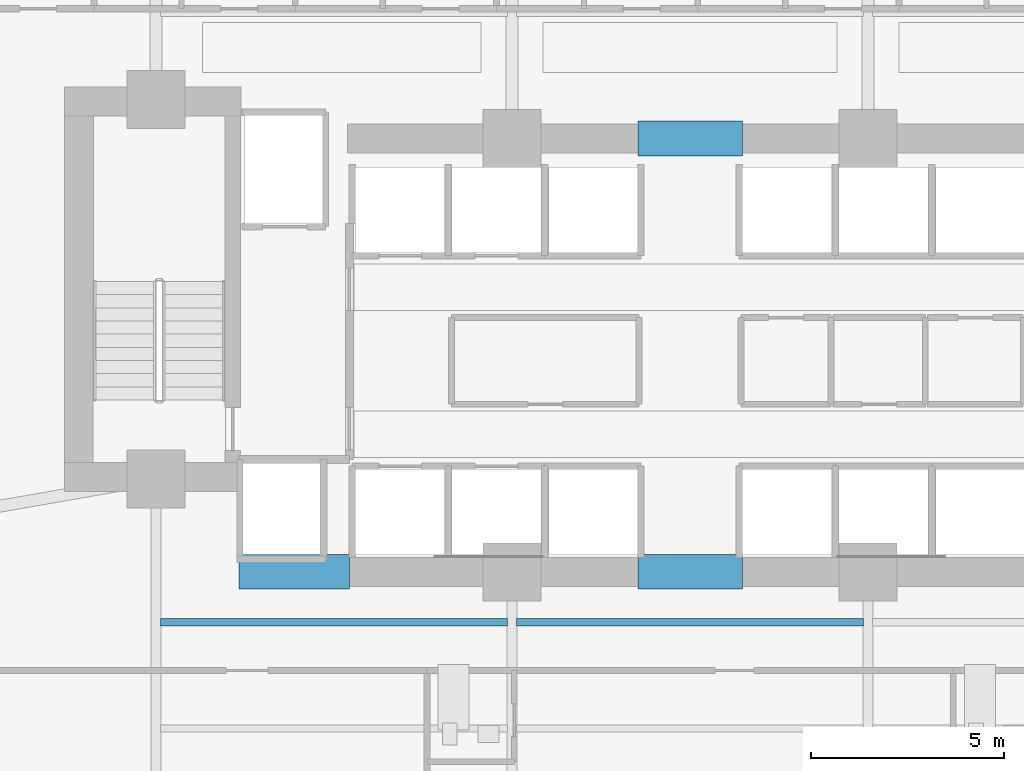
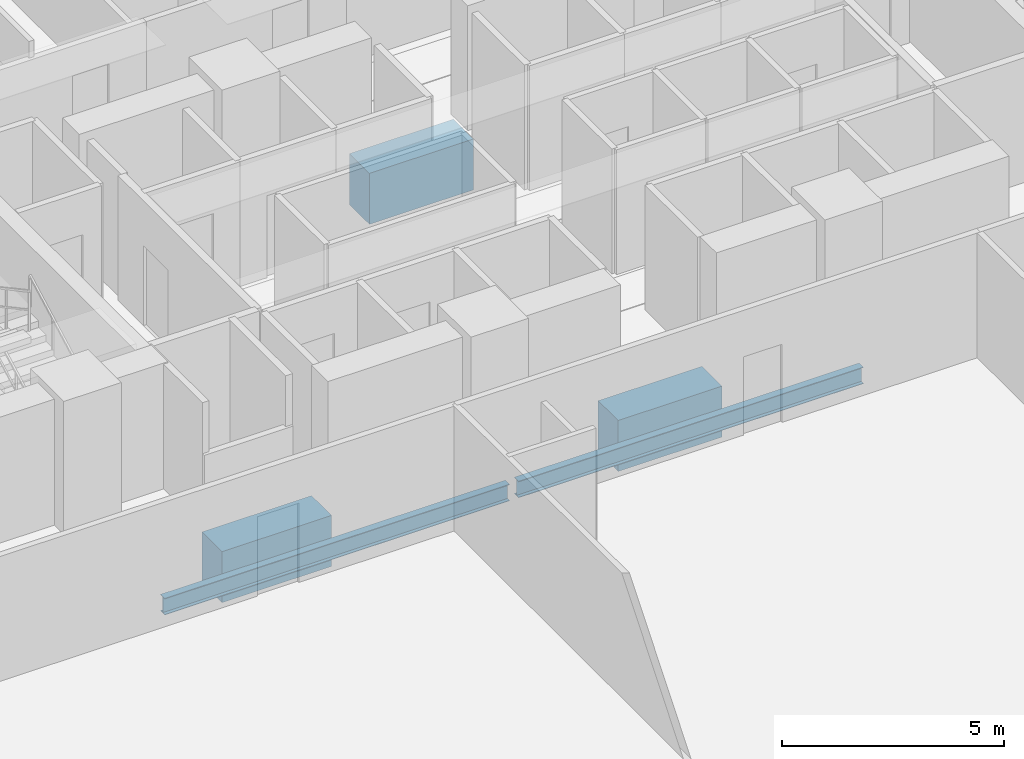
# One storey, part 8 of 29: 5 beams.
"""IFC4 building model written with IfcOpenShell, lengths in metres."""

from ifc_helpers import new_model, si_unit, direction, frame, origin, origin_2d, place, context, subcontext, project, spatial, rectangle, i_section, extrude, material, material_profile, profile_set, type_object, element, save


model = new_model("IFC4")

# Units and contexts
model_context = context("Model", 3, precision=1e-05, world=origin(), true_north=direction((0.0, 1.0)))
body_context = subcontext(model_context, "Body", "Model", "MODEL_VIEW")
ifc_project = project(units=[si_unit("LENGTHUNIT", "METRE"), si_unit("AREAUNIT", "SQUARE_METRE"), si_unit("VOLUMEUNIT", "CUBIC_METRE"), si_unit("PLANEANGLEUNIT", "RADIAN"), si_unit("MASSUNIT", "GRAM", prefix="KILO")], contexts=[model_context])

# Site, building, storey
site_placement = place(None, origin())
site = spatial("IfcSite", under=ifc_project, at=site_placement, CompositionType="ELEMENT")
building_placement = place(site_placement, origin())
building = spatial("IfcBuilding", under=site, at=building_placement, Name="Zuhayl Quay Hotel", CompositionType="ELEMENT")
storey_placement = place(building_placement, frame((0.0, 0.0, 113.89990234375)))
storey = spatial("IfcBuildingStorey", under=building, at=storey_placement, Name="L28", CompositionType="ELEMENT", Elevation=113.89990234375)

# Beams
ifc_material_1 = material(Name="Concrete C60/75", Category="concrete")
ifc_material_profile_1 = material_profile(ifc_material_1, rectangle(XDim=0.89990234375, YDim=1.39990234375, at=origin_2d()), Name="RC900X1400")
ifc_profile_set_1 = profile_set([ifc_material_profile_1], Name="Concrete C60/75")
beam_type_1 = type_object("IfcBeamType", Name="BM_CB1_RC900", PredefinedType="T_BEAM", material=ifc_profile_set_1)
beam_placement = place(storey_placement, frame((-11.64990234375, 2.14990234375, -0.919921875), z_axis=(1.0, 0.0, 0.0), x_axis=(0.0, 1.0, 0.0)))
element("IfcBeam", 1, at=beam_placement, inside=storey, type_object=beam_type_1, Name="L28 Core Coupling Beam SW", PredefinedType="T_BEAM", context=body_context, shape_type="SweptSolid", body=[
    extrude(rectangle(XDim=0.89990234375, YDim=1.39990234375, at=origin_2d()), origin(), (0.0, 0.0, 1.0), 2.849853515625),
])
for number, where, z_axis, x_axis, name in (
    (2, (-1.35009765625, 13.35009765625, -0.919921875), (1.0, 0.0, 0.0), (0.0, 1.0, 0.0), "L28 Core Coupling Beam North"),
    (3, (-1.35009765625, 2.14990234375, -0.919921875), (1.0, 0.0, 0.0), (0.0, 1.0, 0.0), "L28 Core Coupling Beam South"),
):
    element("IfcBeam", number, at=place(storey_placement, frame(where, z_axis=z_axis, x_axis=x_axis)), inside=storey, type_object=beam_type_1, Name=name, PredefinedType="T_BEAM", context=body_context, shape_type="SweptSolid", body=[
        extrude(rectangle(XDim=0.89990234375, YDim=1.39990234375, at=origin_2d()), origin(), (0.0, 0.0, 1.0), 2.7001953125),
    ])
ifc_material_2 = material(Name="Steel ASTM A992 Grade 50", Category="steel")
ifc_material_profile_2 = material_profile(ifc_material_2, i_section(OverallWidth=0.18994140625, OverallDepth=0.45703125, WebThickness=0.009033203125, FlangeThickness=0.014404296875, at=origin_2d()), Name="W18X50")
ifc_profile_set_2 = profile_set([ifc_material_profile_2], Name="Steel ASTM A992 Grade 50")
beam_type_2 = type_object("IfcBeamType", Name="BM_J2_W18X50", PredefinedType="JOIST", material=ifc_profile_set_2)
for number, where, z_axis, x_axis, name in (
    (4, (-13.680908203125, 0.85009765625, -0.448486328125), (1.0, 0.0, 0.0), (0.0, 1.0, 0.0), "L28 Floor Beam FJ_L28_9_1"),
    (5, (-4.48095703125, 0.85009765625, -0.448486328125), (1.0, 0.0, 0.0), (0.0, 1.0, 0.0), "L28 Floor Beam FJ_L28_9_2"),
):
    element("IfcBeam", number, at=place(storey_placement, frame(where, z_axis=z_axis, x_axis=x_axis)), inside=storey, type_object=beam_type_2, Name=name, PredefinedType="JOIST", context=body_context, shape_type="SweptSolid", body=[
        extrude(i_section(OverallWidth=0.18994140625, OverallDepth=0.45703125, WebThickness=0.009033203125, FlangeThickness=0.014404296875, at=origin_2d()), origin(), (0.0, 0.0, 1.0), 8.9619140625),
    ])

save(model, "model.ifc")
